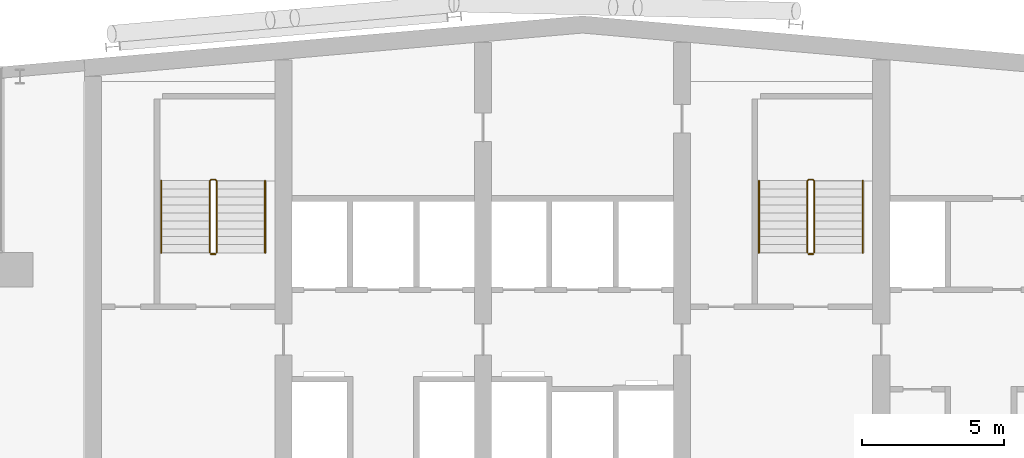
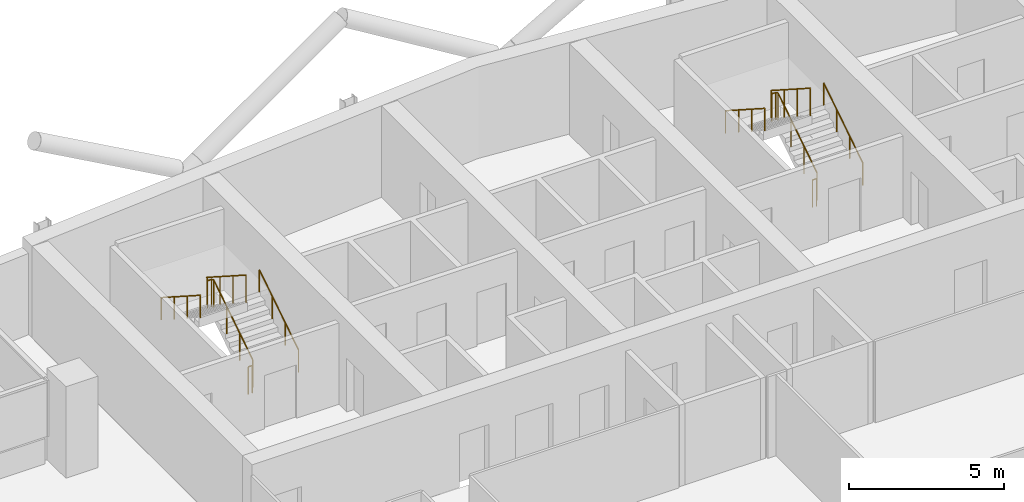
# One storey, part 28 of 28: 8 railings.
"""IFC4 building model written with IfcOpenShell, lengths in metres."""

from ifc_helpers import new_model, si_unit, direction, frame, origin, origin_2d, place, context, subcontext, project, spatial, circle, extrude, material, type_object, element, save


model = new_model("IFC4")

# Units and contexts
model_context = context("Model", 3, precision=1e-05, world=origin(), true_north=direction((0.0, 1.0)))
body_context = subcontext(model_context, "Body", "Model", "MODEL_VIEW")
ifc_project = project(units=[si_unit("LENGTHUNIT", "METRE"), si_unit("AREAUNIT", "SQUARE_METRE"), si_unit("VOLUMEUNIT", "CUBIC_METRE"), si_unit("PLANEANGLEUNIT", "RADIAN"), si_unit("MASSUNIT", "GRAM", prefix="KILO")], contexts=[model_context])

# Site, building, storey
site_placement = place(None, origin())
site = spatial("IfcSite", under=ifc_project, at=site_placement, CompositionType="ELEMENT")
building_placement = place(site_placement, origin())
building = spatial("IfcBuilding", under=site, at=building_placement, Name="Wharfspan Tower", CompositionType="ELEMENT")
storey_placement = place(building_placement, frame((0.0, 0.0, 253.899902)))
storey = spatial("IfcBuildingStorey", under=building, at=storey_placement, Name="L64", CompositionType="ELEMENT", Elevation=253.899902)

# Railings
ifc_material = material(Name="Steel S355J2", Category="steel")
railing_type_1 = type_object("IfcRailingType", Name="Stair guard 1100", PredefinedType="GUARDRAIL", material=ifc_material)
railing_1_placement = place(storey_placement, frame((27.649902, 42.0, 0.180176)))
element("IfcRailing", 1, at=railing_1_placement, inside=storey, type_object=railing_type_1, Name="L64 ST1 stair guard 1", PredefinedType="GUARDRAIL", context=body_context, shape_type="SweptSolid", body=[
    extrude(circle(Radius=0.023926, at=origin_2d()), frame((0.0, 0.0, 1.076172), z_axis=(0.0, 0.8412, 0.540725), x_axis=(-1.0, 0.0, 0.0)), (0.0, 0.0, 1.0), 2.99585),
    extrude(circle(Radius=0.023926, at=origin_2d()), frame((0.0, 2.52002, 2.695801), z_axis=(-0.705376, 0.708834, 0.0), x_axis=(-0.708834, -0.705376, 0.0)), (0.0, 0.0, 1.0), 0.070557),
    extrude(circle(Radius=0.023926, at=origin_2d()), frame((-0.049805, 2.570068, 2.695801), z_axis=(-1.0, 0.0, 0.0), x_axis=(0.0, -1.0, 0.0)), (0.0, 0.0, 1.0), 0.150146),
    extrude(circle(Radius=0.023926, at=origin_2d()), frame((-0.199951, 2.570068, 2.695801), z_axis=(-0.258848, -0.258848, 0.930589), x_axis=(0.707107, -0.707107, 0.0)), (0.0, 0.0, 1.0), 0.193359),
    extrude(circle(Radius=0.023926, at=origin_2d()), frame((-0.25, 2.52002, 2.875977), z_axis=(0.0, -0.841163, 0.540782), x_axis=(1.0, 0.0, 0.0)), (0.0, 0.0, 1.0), 2.99585),
    extrude(circle(Radius=0.020996, at=origin_2d()), origin(), (0.0, 0.0, 1.0), 1.052002),
    extrude(circle(Radius=0.020996, at=origin_2d()), frame((0.0, 0.840088, 0.540039)), (0.0, 0.0, 1.0), 1.052002),
    extrude(circle(Radius=0.020996, at=origin_2d()), frame((0.0, 1.679932, 1.079834)), (0.0, 0.0, 1.0), 1.052002),
    extrude(circle(Radius=0.020996, at=origin_2d()), frame((0.0, 2.52002, 1.619873)), (0.0, 0.0, 1.0), 1.052002),
    extrude(circle(Radius=0.020996, at=origin_2d()), frame((-0.049805, 2.570068, 1.619873)), (0.0, 0.0, 1.0), 1.052002),
    extrude(circle(Radius=0.020996, at=origin_2d()), frame((-0.199951, 2.570068, 1.619873)), (0.0, 0.0, 1.0), 1.052002),
    extrude(circle(Radius=0.020996, at=origin_2d()), frame((-0.25, 2.52002, 1.799805)), (0.0, 0.0, 1.0), 1.052002),
    extrude(circle(Radius=0.020996, at=origin_2d()), frame((-0.25, 1.679932, 2.339844)), (0.0, 0.0, 1.0), 1.052002),
    extrude(circle(Radius=0.020996, at=origin_2d()), frame((-0.25, 0.840088, 2.879883)), (0.0, 0.0, 1.0), 1.052002),
    extrude(circle(Radius=0.020996, at=origin_2d()), frame((-0.25, 0.0, 3.419922)), (0.0, 0.0, 1.0), 1.052002),
])
railing_2_placement = place(storey_placement, frame((27.600098, 41.949951, 0.0)))
element("IfcRailing", 2, at=railing_2_placement, inside=storey, type_object=railing_type_1, Name="L64 ST1 stair guard 2", PredefinedType="GUARDRAIL", context=body_context, shape_type="SweptSolid", body=[
    extrude(circle(Radius=0.023926, at=origin_2d()), frame((0.0, 0.0, 1.076172), z_axis=(-1.0, 0.0, 0.0), x_axis=(0.0, -1.0, 0.0)), (0.0, 0.0, 1.0), 0.150146),
    extrude(circle(Radius=0.020996, at=origin_2d()), origin(), (0.0, 0.0, 1.0), 1.052002),
    extrude(circle(Radius=0.020996, at=origin_2d()), frame((-0.150146, 0.0, 0.0)), (0.0, 0.0, 1.0), 1.052002),
])
railing_3_placement = place(storey_placement, frame((48.649902, 42.0, 0.180176)))
element("IfcRailing", 3, at=railing_3_placement, inside=storey, type_object=railing_type_1, Name="L64 ST2 stair guard 1", PredefinedType="GUARDRAIL", context=body_context, shape_type="SweptSolid", body=[
    extrude(circle(Radius=0.023926, at=origin_2d()), frame((0.0, 0.0, 1.076172), z_axis=(0.0, 0.8412, 0.540725), x_axis=(-1.0, 0.0, 0.0)), (0.0, 0.0, 1.0), 2.99585),
    extrude(circle(Radius=0.023926, at=origin_2d()), frame((0.0, 2.52002, 2.695801), z_axis=(-0.705376, 0.708834, 0.0), x_axis=(-0.708834, -0.705376, 0.0)), (0.0, 0.0, 1.0), 0.070557),
    extrude(circle(Radius=0.023926, at=origin_2d()), frame((-0.049805, 2.570068, 2.695801), z_axis=(-1.0, 0.0, 0.0), x_axis=(0.0, -1.0, 0.0)), (0.0, 0.0, 1.0), 0.150146),
    extrude(circle(Radius=0.023926, at=origin_2d()), frame((-0.199951, 2.570068, 2.695801), z_axis=(-0.258848, -0.258848, 0.930589), x_axis=(0.707107, -0.707107, 0.0)), (0.0, 0.0, 1.0), 0.193359),
    extrude(circle(Radius=0.023926, at=origin_2d()), frame((-0.25, 2.52002, 2.875977), z_axis=(0.0, -0.841163, 0.540782), x_axis=(1.0, 0.0, 0.0)), (0.0, 0.0, 1.0), 2.99585),
    extrude(circle(Radius=0.020996, at=origin_2d()), origin(), (0.0, 0.0, 1.0), 1.052002),
    extrude(circle(Radius=0.020996, at=origin_2d()), frame((0.0, 0.840088, 0.540039)), (0.0, 0.0, 1.0), 1.052002),
    extrude(circle(Radius=0.020996, at=origin_2d()), frame((0.0, 1.679932, 1.079834)), (0.0, 0.0, 1.0), 1.052002),
    extrude(circle(Radius=0.020996, at=origin_2d()), frame((0.0, 2.52002, 1.619873)), (0.0, 0.0, 1.0), 1.052002),
    extrude(circle(Radius=0.020996, at=origin_2d()), frame((-0.049805, 2.570068, 1.619873)), (0.0, 0.0, 1.0), 1.052002),
    extrude(circle(Radius=0.020996, at=origin_2d()), frame((-0.199951, 2.570068, 1.619873)), (0.0, 0.0, 1.0), 1.052002),
    extrude(circle(Radius=0.020996, at=origin_2d()), frame((-0.25, 2.52002, 1.799805)), (0.0, 0.0, 1.0), 1.052002),
    extrude(circle(Radius=0.020996, at=origin_2d()), frame((-0.25, 1.679932, 2.339844)), (0.0, 0.0, 1.0), 1.052002),
    extrude(circle(Radius=0.020996, at=origin_2d()), frame((-0.25, 0.840088, 2.879883)), (0.0, 0.0, 1.0), 1.052002),
    extrude(circle(Radius=0.020996, at=origin_2d()), frame((-0.25, 0.0, 3.419922)), (0.0, 0.0, 1.0), 1.052002),
])
railing_4_placement = place(storey_placement, frame((48.600098, 41.949951, 0.0)))
element("IfcRailing", 4, at=railing_4_placement, inside=storey, type_object=railing_type_1, Name="L64 ST2 stair guard 2", PredefinedType="GUARDRAIL", context=body_context, shape_type="SweptSolid", body=[
    extrude(circle(Radius=0.023926, at=origin_2d()), frame((0.0, 0.0, 1.076172), z_axis=(-1.0, 0.0, 0.0), x_axis=(0.0, -1.0, 0.0)), (0.0, 0.0, 1.0), 0.150146),
    extrude(circle(Radius=0.020996, at=origin_2d()), origin(), (0.0, 0.0, 1.0), 1.052002),
    extrude(circle(Radius=0.020996, at=origin_2d()), frame((-0.150146, 0.0, 0.0)), (0.0, 0.0, 1.0), 1.052002),
])
railing_type_2 = type_object("IfcRailingType", Name="Stair handrail 900", PredefinedType="HANDRAIL", material=ifc_material)
railing_5_placement = place(storey_placement, frame((29.350098, 42.0, 0.180176)))
element("IfcRailing", 5, at=railing_5_placement, inside=storey, type_object=railing_type_2, Name="L64 ST1 stair handrail 1", PredefinedType="HANDRAIL", context=body_context, shape_type="SweptSolid", body=[
    extrude(circle(Radius=0.023926, at=origin_2d()), frame((0.0, 0.0, 0.875977), z_axis=(0.0, 0.8412, 0.540725), x_axis=(-1.0, 0.0, 0.0)), (0.0, 0.0, 1.0), 2.99585),
    extrude(circle(Radius=0.020996, at=origin_2d()), origin(), (0.0, 0.0, 1.0), 0.851807),
    extrude(circle(Radius=0.020996, at=origin_2d()), frame((0.0, 0.840088, 0.540039)), (0.0, 0.0, 1.0), 0.851807),
    extrude(circle(Radius=0.020996, at=origin_2d()), frame((0.0, 1.679932, 1.079834)), (0.0, 0.0, 1.0), 0.851807),
    extrude(circle(Radius=0.020996, at=origin_2d()), frame((0.0, 2.52002, 1.619873)), (0.0, 0.0, 1.0), 0.851807),
])
railing_6_placement = place(storey_placement, frame((25.699951, 44.52002, 1.97998)))
element("IfcRailing", 6, at=railing_6_placement, inside=storey, type_object=railing_type_2, Name="L64 ST1 stair handrail 2", PredefinedType="HANDRAIL", context=body_context, shape_type="SweptSolid", body=[
    extrude(circle(Radius=0.023926, at=origin_2d()), frame((0.0, 0.0, 0.875977), z_axis=(0.0, -0.841163, 0.540782), x_axis=(1.0, 0.0, 0.0)), (0.0, 0.0, 1.0), 2.99585),
    extrude(circle(Radius=0.020996, at=origin_2d()), origin(), (0.0, 0.0, 1.0), 0.851807),
    extrude(circle(Radius=0.020996, at=origin_2d()), frame((0.0, -0.840088, 0.540039)), (0.0, 0.0, 1.0), 0.851807),
    extrude(circle(Radius=0.020996, at=origin_2d()), frame((0.0, -1.679932, 1.080078)), (0.0, 0.0, 1.0), 0.851807),
    extrude(circle(Radius=0.020996, at=origin_2d()), frame((0.0, -2.52002, 1.620117)), (0.0, 0.0, 1.0), 0.851807),
])
railing_7_placement = place(storey_placement, frame((50.350098, 42.0, 0.180176)))
element("IfcRailing", 7, at=railing_7_placement, inside=storey, type_object=railing_type_2, Name="L64 ST2 stair handrail 1", PredefinedType="HANDRAIL", context=body_context, shape_type="SweptSolid", body=[
    extrude(circle(Radius=0.023926, at=origin_2d()), frame((0.0, 0.0, 0.875977), z_axis=(0.0, 0.8412, 0.540725), x_axis=(-1.0, 0.0, 0.0)), (0.0, 0.0, 1.0), 2.99585),
    extrude(circle(Radius=0.020996, at=origin_2d()), origin(), (0.0, 0.0, 1.0), 0.851807),
    extrude(circle(Radius=0.020996, at=origin_2d()), frame((0.0, 0.840088, 0.540039)), (0.0, 0.0, 1.0), 0.851807),
    extrude(circle(Radius=0.020996, at=origin_2d()), frame((0.0, 1.679932, 1.079834)), (0.0, 0.0, 1.0), 0.851807),
    extrude(circle(Radius=0.020996, at=origin_2d()), frame((0.0, 2.52002, 1.619873)), (0.0, 0.0, 1.0), 0.851807),
])
railing_8_placement = place(storey_placement, frame((46.699951, 44.52002, 1.97998)))
element("IfcRailing", 8, at=railing_8_placement, inside=storey, type_object=railing_type_2, Name="L64 ST2 stair handrail 2", PredefinedType="HANDRAIL", context=body_context, shape_type="SweptSolid", body=[
    extrude(circle(Radius=0.023926, at=origin_2d()), frame((0.0, 0.0, 0.875977), z_axis=(0.0, -0.841163, 0.540782), x_axis=(1.0, 0.0, 0.0)), (0.0, 0.0, 1.0), 2.99585),
    extrude(circle(Radius=0.020996, at=origin_2d()), origin(), (0.0, 0.0, 1.0), 0.851807),
    extrude(circle(Radius=0.020996, at=origin_2d()), frame((0.0, -0.840088, 0.540039)), (0.0, 0.0, 1.0), 0.851807),
    extrude(circle(Radius=0.020996, at=origin_2d()), frame((0.0, -1.679932, 1.080078)), (0.0, 0.0, 1.0), 0.851807),
    extrude(circle(Radius=0.020996, at=origin_2d()), frame((0.0, -2.52002, 1.620117)), (0.0, 0.0, 1.0), 0.851807),
])

save(model, "model.ifc")
